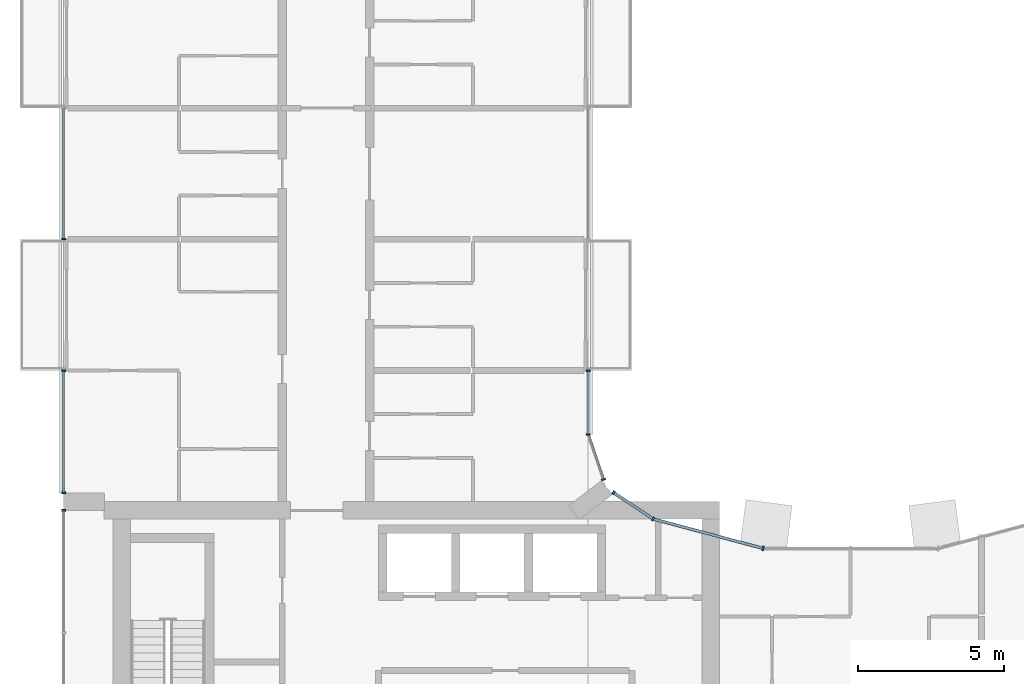
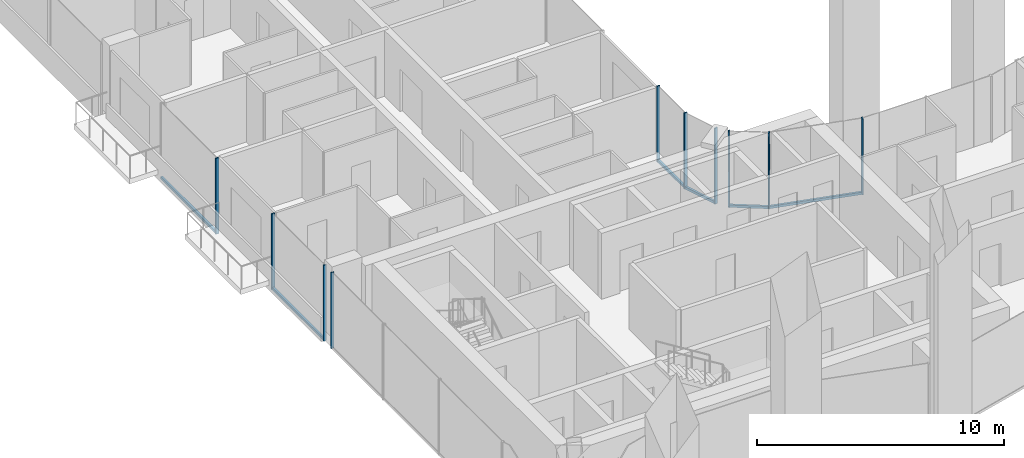
# One storey, part 4 of 18: 16 members, 7 elements without a shape of their own.
"""IFC4 building model written with IfcOpenShell, lengths in metres."""

from ifc_helpers import new_model, si_unit, direction, frame, origin, origin_2d, place, context, subcontext, project, spatial, rectangle, extrude, material, layer, layer_set, material_profile, profile_set, type_object, element, aggregate, save


model = new_model("IFC4")

# Units and contexts
model_context = context("Model", 3, precision=1e-05, world=origin(), true_north=direction((0.0, 1.0)))
body_context = subcontext(model_context, "Body", "Model", "MODEL_VIEW")
ifc_project = project(units=[si_unit("LENGTHUNIT", "METRE"), si_unit("AREAUNIT", "SQUARE_METRE"), si_unit("VOLUMEUNIT", "CUBIC_METRE"), si_unit("PLANEANGLEUNIT", "RADIAN"), si_unit("MASSUNIT", "GRAM", prefix="KILO")], contexts=[model_context])

# Site, building, storey
site_placement = place(None, origin())
site = spatial("IfcSite", under=ifc_project, at=site_placement, CompositionType="ELEMENT")
building_placement = place(site_placement, origin())
building = spatial("IfcBuilding", under=site, at=building_placement, Name="Plateau Cross Towers", CompositionType="ELEMENT")
storey_placement = place(building_placement, frame((0.0, 0.0, 139.39990234375)))
storey = spatial("IfcBuildingStorey", under=building, at=storey_placement, Name="L35", CompositionType="ELEMENT", Elevation=139.39990234375)

# Curtain wall, members
ifc_material_1 = material(Name="Dark low-iron glass", Category="glass")
ifc_layer_1 = layer(ifc_material_1, 0.239990234375)
ifc_layer_set_1 = layer_set([ifc_layer_1], Name="Dark low-iron glass")
curtain_wall_type_1 = type_object("IfcCurtainWallType", Name="Curtain wall flush unitised CW-B", PredefinedType="NOTDEFINED", material=ifc_layer_set_1)
curtain_wall_1_placement = place(storey_placement, origin())
curtain_wall_1 = element("IfcCurtainWall", 1, at=curtain_wall_1_placement, inside=storey, type_object=curtain_wall_type_1, Name="ENV/A/L35/A202_174", PredefinedType="NOTDEFINED")
ifc_material_2 = material(Name="Black anodised aluminium", Category="aluminium")
ifc_material_profile_1 = material_profile(ifc_material_2, rectangle(XDim=0.06005859375, YDim=0.139892578125, at=origin_2d()), Name="MULLION 60x140")
ifc_profile_set_1 = profile_set([ifc_material_profile_1], Name="Black anodised aluminium")
member_type_1 = type_object("IfcMemberType", Name="Mullion 60x140 flush unitised", PredefinedType="MULLION", material=ifc_profile_set_1)
member_1_placement = place(storey_placement, frame((20.223876953125, 17.404296875, -0.5), z_axis=(0.0, 0.0, 1.0), x_axis=(-0.831521253329, 0.555492938984, 0.0)))
member_1 = element("IfcMember", 2, at=member_1_placement, type_object=member_type_1, Name="CW-B mullion 1", PredefinedType="MULLION", context=body_context, shape_type="SweptSolid", body=[
    extrude(rectangle(XDim=0.06005859375, YDim=0.139892578125, at=origin_2d()), origin(), (0.0, 0.0, 1.0), 3.75),
])
member_2_placement = place(storey_placement, frame((18.86962890625, 18.30908203125, -0.5), z_axis=(0.0, 0.0, 1.0), x_axis=(-0.831521253329, 0.555492938984, 0.0)))
member_2 = element("IfcMember", 3, at=member_2_placement, type_object=member_type_1, Name="CW-B mullion 2", PredefinedType="MULLION", context=body_context, shape_type="SweptSolid", body=[
    extrude(rectangle(XDim=0.06005859375, YDim=0.139892578125, at=origin_2d()), origin(), (0.0, 0.0, 1.0), 3.75),
])

# Curtain wall, member
curtain_wall_2_placement = place(storey_placement, origin())
curtain_wall_2 = element("IfcCurtainWall", 4, at=curtain_wall_2_placement, inside=storey, type_object=curtain_wall_type_1, Name="ENV/A/L35/A185_188", PredefinedType="NOTDEFINED")
member_3_placement = place(storey_placement, frame((18.523681640625, 18.760009765625, -0.5), z_axis=(0.0, 0.0, 1.0), x_axis=(-0.321469161574, 0.94692004845, 0.0)))
member_3 = element("IfcMember", 5, at=member_3_placement, type_object=member_type_1, Name="CW-B mullion 1", PredefinedType="MULLION", context=body_context, shape_type="SweptSolid", body=[
    extrude(rectangle(XDim=0.06005859375, YDim=0.139892578125, at=origin_2d()), origin(), (0.0, 0.0, 1.0), 3.75),
])

# Curtain wall, members
curtain_wall_3_placement = place(storey_placement, origin())
curtain_wall_3 = element("IfcCurtainWall", 6, at=curtain_wall_3_placement, inside=storey, type_object=curtain_wall_type_1, Name="ENV/A/L35/A180_203", PredefinedType="NOTDEFINED")
member_4_placement = place(storey_placement, frame((18.0, 20.30224609375, -0.5), z_axis=(0.0, 0.0, 1.0), x_axis=(0.0, 1.0, 0.0)))
member_4 = element("IfcMember", 7, at=member_4_placement, type_object=member_type_1, Name="CW-B mullion 1", PredefinedType="MULLION", context=body_context, shape_type="SweptSolid", body=[
    extrude(rectangle(XDim=0.06005859375, YDim=0.139892578125, at=origin_2d()), origin(), (0.0, 0.0, 1.0), 3.75),
])
member_5_placement = place(storey_placement, frame((18.0, 22.489990234375, -0.5), z_axis=(0.0, 0.0, 1.0), x_axis=(0.0, 1.0, 0.0)))
member_5 = element("IfcMember", 8, at=member_5_placement, type_object=member_type_1, Name="CW-B mullion 2", PredefinedType="MULLION", context=body_context, shape_type="SweptSolid", body=[
    extrude(rectangle(XDim=0.06005859375, YDim=0.139892578125, at=origin_2d()), origin(), (0.0, 0.0, 1.0), 3.75),
])

# Curtain wall, member
curtain_wall_4_placement = place(storey_placement, origin())
curtain_wall_4 = element("IfcCurtainWall", 9, at=curtain_wall_4_placement, inside=storey, type_object=curtain_wall_type_1, Name="ENV/A/L35/A0_315", PredefinedType="NOTDEFINED")
member_6_placement = place(storey_placement, frame((0.0, 27.010009765625, -0.5), z_axis=(0.0, 0.0, 1.0), x_axis=(0.0, -1.0, 0.0)))
member_6 = element("IfcMember", 10, at=member_6_placement, type_object=member_type_1, Name="CW-B mullion 2", PredefinedType="MULLION", context=body_context, shape_type="SweptSolid", body=[
    extrude(rectangle(XDim=0.06005859375, YDim=0.139892578125, at=origin_2d()), origin(), (0.0, 0.0, 1.0), 3.75),
])

# Curtain wall, members
curtain_wall_5_placement = place(storey_placement, origin())
curtain_wall_5 = element("IfcCurtainWall", 11, at=curtain_wall_5_placement, inside=storey, type_object=curtain_wall_type_1, Name="ENV/A/L35/A0_225", PredefinedType="NOTDEFINED")
member_7_placement = place(storey_placement, frame((0.0, 22.489990234375, -0.5), z_axis=(0.0, 0.0, 1.0), x_axis=(0.0, -1.0, 0.0)))
member_7 = element("IfcMember", 12, at=member_7_placement, type_object=member_type_1, Name="CW-B mullion 1", PredefinedType="MULLION", context=body_context, shape_type="SweptSolid", body=[
    extrude(rectangle(XDim=0.06005859375, YDim=0.139892578125, at=origin_2d()), origin(), (0.0, 0.0, 1.0), 3.75),
])
member_8_placement = place(storey_placement, frame((0.0, 18.300048828125, -0.5), z_axis=(0.0, 0.0, 1.0), x_axis=(0.0, -1.0, 0.0)))
member_8 = element("IfcMember", 13, at=member_8_placement, type_object=member_type_1, Name="CW-B mullion 2", PredefinedType="MULLION", context=body_context, shape_type="SweptSolid", body=[
    extrude(rectangle(XDim=0.06005859375, YDim=0.139892578125, at=origin_2d()), origin(), (0.0, 0.0, 1.0), 3.75),
])

# Curtain wall, member
curtain_wall_6_placement = place(storey_placement, origin())
curtain_wall_6 = element("IfcCurtainWall", 14, at=curtain_wall_6_placement, inside=storey, type_object=curtain_wall_type_1, Name="ENV/A/L35/A0_177", PredefinedType="NOTDEFINED")
member_9_placement = place(storey_placement, frame((0.0, 17.699951171875, -0.5), z_axis=(0.0, 0.0, 1.0), x_axis=(0.0, -1.0, 0.0)))
member_9 = element("IfcMember", 15, at=member_9_placement, type_object=member_type_1, Name="CW-B mullion 1", PredefinedType="MULLION", context=body_context, shape_type="SweptSolid", body=[
    extrude(rectangle(XDim=0.06005859375, YDim=0.139892578125, at=origin_2d()), origin(), (0.0, 0.0, 1.0), 3.75),
])
aggregate(curtain_wall_6, [member_9])

ifc_layer_2 = layer(ifc_material_1, 0.260009765625)
ifc_layer_set_2 = layer_set([ifc_layer_2], Name="Dark low-iron glass")
curtain_wall_type_2 = type_object("IfcCurtainWallType", Name="Curtain wall fluted unitised CW-A", PredefinedType="NOTDEFINED", material=ifc_layer_set_2)
curtain_wall_7_placement = place(storey_placement, origin())
curtain_wall_7 = element("IfcCurtainWall", 16, at=curtain_wall_7_placement, inside=storey, type_object=curtain_wall_type_2, Name="ENV/A/L35/A240_164", PredefinedType="NOTDEFINED")
ifc_material_profile_2 = material_profile(ifc_material_2, rectangle(XDim=0.06005859375, YDim=0.159912109375, at=origin_2d()), Name="MULLION 60x160")
ifc_profile_set_2 = profile_set([ifc_material_profile_2], Name="Black anodised aluminium")
member_type_2 = type_object("IfcMemberType", Name="Mullion 60x160 fluted unitised", PredefinedType="MULLION", material=ifc_profile_set_2)
member_10_placement = place(storey_placement, frame((24.0, 16.39306640625, -0.5), z_axis=(0.0, 0.0, 1.0), x_axis=(-0.965957995816, 0.258698956933, 0.0)))
member_10 = element("IfcMember", 17, at=member_10_placement, type_object=member_type_2, Name="CW-A mullion 1", PredefinedType="MULLION", context=body_context, shape_type="SweptSolid", body=[
    extrude(rectangle(XDim=0.06005859375, YDim=0.159912109375, at=origin_2d()), origin(), (0.0, 0.0, 1.0), 3.75),
])

# Member
ifc_material_profile_3 = material_profile(ifc_material_2, rectangle(XDim=0.10009765625, YDim=0.1201171875, at=origin_2d()), Name="TRANSOM 100x120")
ifc_profile_set_3 = profile_set([ifc_material_profile_3], Name="Black anodised aluminium")
member_type_3 = type_object("IfcMemberType", Name="Transom 100x120 flush unitised", PredefinedType="USERDEFINED", material=ifc_profile_set_3)
member_11_placement = place(storey_placement, frame((20.223876953125, 17.404296875, -0.43994140625), z_axis=(-0.831496402487, 0.555530136582, 0.0), x_axis=(-0.555530136582, -0.831496402487, 0.0)))
member_11 = element("IfcMember", 18, at=member_11_placement, type_object=member_type_3, Name="CW-B transom", ObjectType="TRANSOM", PredefinedType="USERDEFINED", context=body_context, shape_type="SweptSolid", body=[
    extrude(rectangle(XDim=0.10009765625, YDim=0.1201171875, at=origin_2d()), origin(), (0.0, 0.0, 1.0), 1.628662109375),
])

aggregate(curtain_wall_1, [member_1, member_2, member_11])

member_12_placement = place(storey_placement, frame((18.523681640625, 18.760009765625, -0.43994140625), z_axis=(-0.321529174838, 0.946899672472, 0.0), x_axis=(-0.946899672472, -0.321529174838, 0.0)))
member_12 = element("IfcMember", 19, at=member_12_placement, type_object=member_type_3, Name="CW-B transom", ObjectType="TRANSOM", PredefinedType="USERDEFINED", context=body_context, shape_type="SweptSolid", body=[
    extrude(rectangle(XDim=0.10009765625, YDim=0.1201171875, at=origin_2d()), origin(), (0.0, 0.0, 1.0), 1.628662109375),
])

aggregate(curtain_wall_2, [member_3, member_12])

member_13_placement = place(storey_placement, frame((18.0, 20.30224609375, -0.43994140625), z_axis=(0.0, 1.0, 0.0), x_axis=(-1.0, 0.0, 0.0)))
member_13 = element("IfcMember", 20, at=member_13_placement, type_object=member_type_3, Name="CW-B transom", ObjectType="TRANSOM", PredefinedType="USERDEFINED", context=body_context, shape_type="SweptSolid", body=[
    extrude(rectangle(XDim=0.10009765625, YDim=0.1201171875, at=origin_2d()), origin(), (0.0, 0.0, 1.0), 2.187744140625),
])

aggregate(curtain_wall_3, [member_4, member_5, member_13])

member_14_placement = place(storey_placement, frame((0.0, 31.489990234375, -0.43994140625), z_axis=(0.0, -1.0, 0.0), x_axis=(1.0, 0.0, 0.0)))
member_14 = element("IfcMember", 21, at=member_14_placement, type_object=member_type_3, Name="CW-B transom", ObjectType="TRANSOM", PredefinedType="USERDEFINED", context=body_context, shape_type="SweptSolid", body=[
    extrude(rectangle(XDim=0.10009765625, YDim=0.1201171875, at=origin_2d()), origin(), (0.0, 0.0, 1.0), 4.47998046875),
])

aggregate(curtain_wall_4, [member_6, member_14])

member_15_placement = place(storey_placement, frame((0.0, 22.489990234375, -0.43994140625), z_axis=(0.0, -1.0, 0.0), x_axis=(1.0, 0.0, 0.0)))
member_15 = element("IfcMember", 22, at=member_15_placement, type_object=member_type_3, Name="CW-B transom", ObjectType="TRANSOM", PredefinedType="USERDEFINED", context=body_context, shape_type="SweptSolid", body=[
    extrude(rectangle(XDim=0.10009765625, YDim=0.1201171875, at=origin_2d()), origin(), (0.0, 0.0, 1.0), 4.18994140625),
])

aggregate(curtain_wall_5, [member_7, member_8, member_15])

ifc_material_profile_4 = material_profile(ifc_material_2, rectangle(XDim=0.10009765625, YDim=0.1201171875, at=origin_2d()), Name="TRANSOM 100x120")
ifc_profile_set_4 = profile_set([ifc_material_profile_4], Name="Black anodised aluminium")
member_type_4 = type_object("IfcMemberType", Name="Transom 100x120 fluted unitised", PredefinedType="USERDEFINED", material=ifc_profile_set_4)
member_16_placement = place(storey_placement, frame((24.0, 16.39306640625, -0.43994140625), z_axis=(-0.965962822393, 0.25868093427, 0.0), x_axis=(-0.25868093427, -0.965962822393, 0.0)))
member_16 = element("IfcMember", 23, at=member_16_placement, type_object=member_type_4, Name="CW-A transom", ObjectType="TRANSOM", PredefinedType="USERDEFINED", context=body_context, shape_type="SweptSolid", body=[
    extrude(rectangle(XDim=0.10009765625, YDim=0.1201171875, at=origin_2d()), origin(), (0.0, 0.0, 1.0), 3.9091796875),
])

aggregate(curtain_wall_7, [member_10, member_16])

save(model, "model.ifc")
